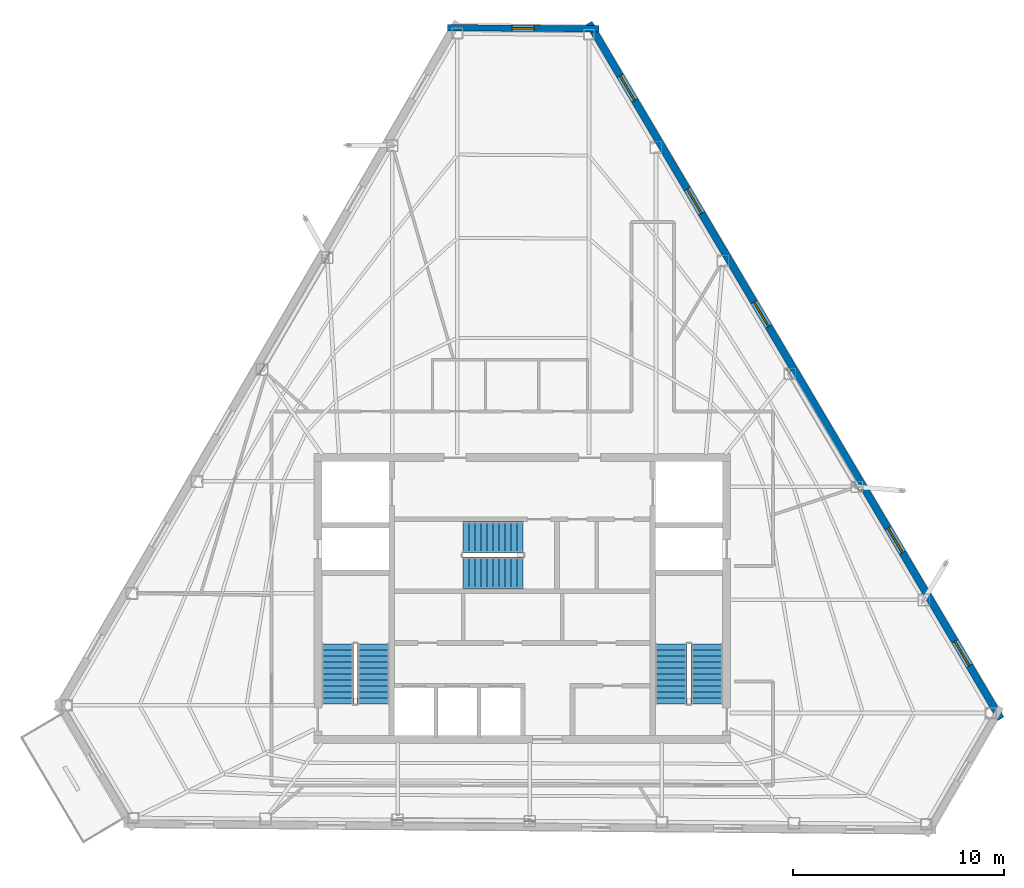
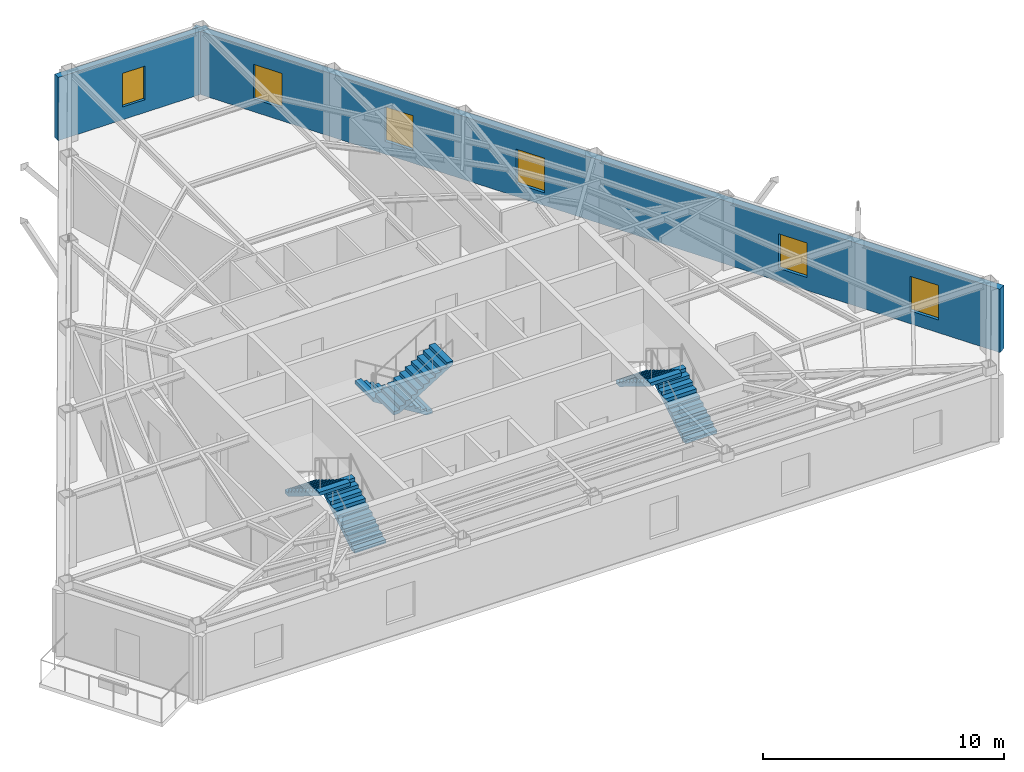
# One storey, part 9 of 10: 6 stair flights, 6 windows, 2 walls, 6 openings, 3 elements without a shape of their own.
"""IFC4 building model written with IfcOpenShell, lengths in metres."""

from ifc_helpers import new_model, si_unit, direction, frame, frame_2d, origin, place, context, subcontext, project, spatial, polyline, rectangle, outline, extrude, material, layer, layer_set, type_object, element, fill, aggregate, save


model = new_model("IFC4")

# Units and contexts
model_context = context("Model", 3, precision=1e-05, world=origin(), true_north=direction((0.0, 1.0)))
body_context = subcontext(model_context, "Body", "Model", "MODEL_VIEW")
ifc_project = project(units=[si_unit("LENGTHUNIT", "METRE"), si_unit("AREAUNIT", "SQUARE_METRE"), si_unit("VOLUMEUNIT", "CUBIC_METRE"), si_unit("PLANEANGLEUNIT", "RADIAN"), si_unit("MASSUNIT", "GRAM", prefix="KILO")], contexts=[model_context])

# Site, building, storey
site_placement = place(None, origin())
site = spatial("IfcSite", under=ifc_project, at=site_placement, CompositionType="ELEMENT")
building_placement = place(site_placement, origin())
building = spatial("IfcBuilding", under=site, at=building_placement, Name="Kavelnor Concourse Tower", CompositionType="ELEMENT")
storey_placement = place(building_placement, frame((0.0, 0.0, 266.449951171875)))
storey = spatial("IfcBuildingStorey", under=building, at=storey_placement, Name="L67", CompositionType="ELEMENT", Elevation=266.449951171875)

# Wall, opening, window
ifc_material_1 = material(Name="Buff ironspot clay face brick masonry", Category="masonry")
ifc_layer_1 = layer(ifc_material_1, 0.300048828125, Name="Buff ironspot clay face brick masonry")
ifc_layer_set_1 = layer_set([ifc_layer_1], Name="Buff ironspot clay face brick masonry")
wall_type_1 = type_object("IfcWallType", Name="WL-EXT-BUFF-BRICK-FOLD-300", PredefinedType="STANDARD", material=ifc_layer_set_1)
wall_1_placement = place(storey_placement, frame((34.444091796875, 43.21142578125, 0.0), z_axis=(0.0, 0.0, 1.0), x_axis=(0.999968003705, -0.007999472861, 0.0)))
wall_1 = element("IfcWall", 1, at=wall_1_placement, inside=storey, type_object=wall_type_1, Name="L67 Exterior Brick Facade Wall E0", PredefinedType="STANDARD", context=body_context, shape_type="SweptSolid", body=[
    extrude(rectangle(XDim=7.20263671875, YDim=0.300048828125, at=frame_2d((3.601318359375, 0.0))), origin(), (0.0, 0.0, 1.0), 3.196044921875),
])
opening_1_placement = place(wall_1_placement, frame((3.076416015625, 0.0, 0.64990234375)))
opening_1 = element("IfcOpeningElement", 2, at=opening_1_placement, cuts=wall_1, Name="Opening W-06", PredefinedType="OPENING", context=body_context, shape_type="SweptSolid", body=[
    extrude(rectangle(XDim=1.050048828125, YDim=1.699951171875, at=frame_2d((0.52490234375, 0.85009765625))), frame((0.0, 0.16015625, 0.0), z_axis=(0.0, -1.0, 0.0), x_axis=(1.0, 0.0, 0.0)), (0.0, 0.0, 1.0), 0.320068359375),
])
ifc_material_2 = material(Name="Double low-E argon insulated glazing", Category="glass")
window_type_1 = type_object("IfcWindowType", Name="WIN-FOLD-1050", PartitioningType="SINGLE_PANEL", PredefinedType="WINDOW", material=ifc_material_2)
window_1_placement = place(opening_1_placement, origin())
window_1 = element("IfcWindow", 3, at=window_1_placement, inside=storey, type_object=window_type_1, Name="L67 Chamfer-Fold Facet Window C0", OverallHeight=1.699951171875, OverallWidth=1.050048828125, PartitioningType="SINGLE_PANEL", PredefinedType="WINDOW", context=body_context, shape_type="SweptSolid", body=[
    extrude(rectangle(XDim=1.050048828125, YDim=1.699951171875, at=frame_2d((0.52490234375, 0.85009765625))), frame((0.0, 0.030029296875, 0.0), z_axis=(0.0, -1.0, 0.0), x_axis=(1.0, 0.0, 0.0)), (0.0, 0.0, 1.0), 0.06005859375),
])
fill(opening_1, window_1)

# Wall, openings, windows
ifc_material_3 = material(Name="Red-ochre clay face brick masonry", Category="masonry")
ifc_layer_2 = layer(ifc_material_3, 0.35009765625, Name="Red-ochre clay face brick masonry")
ifc_layer_set_2 = layer_set([ifc_layer_2], Name="Red-ochre clay face brick masonry")
wall_type_2 = type_object("IfcWallType", Name="WL-EXT-RED-BRICK-PIER-350", PredefinedType="STANDARD", material=ifc_layer_set_2)
wall_2_placement = place(storey_placement, frame((41.165771484375, 43.4306640625, 0.0), z_axis=(0.0, 0.0, 1.0), x_axis=(0.50946847144, -0.860489323936, 0.0)))
wall_2 = element("IfcWall", 4, at=wall_2_placement, inside=storey, type_object=wall_type_2, Name="L67 Exterior Brick Facade Wall E5", PredefinedType="STANDARD", context=body_context, shape_type="SweptSolid", body=[
    extrude(rectangle(XDim=38.403564453125, YDim=0.35009765625, at=frame_2d((19.20166015625, 0.0))), origin(), (0.0, 0.0, 1.0), 3.196044921875),
])
opening_2_placement = place(wall_2_placement, frame((34.1259765625, 0.0, 0.64990234375)))
opening_2 = element("IfcOpeningElement", 5, at=opening_2_placement, cuts=wall_2, Name="Opening W-04", PredefinedType="OPENING", context=body_context, shape_type="SweptSolid", body=[
    extrude(rectangle(XDim=1.35009765625, YDim=1.75, at=frame_2d((0.675048828125, 0.875))), frame((0.0, 0.18505859375, 0.0), z_axis=(0.0, -1.0, 0.0), x_axis=(1.0, 0.0, 0.0)), (0.0, 0.0, 1.0), 0.3701171875),
])
opening_3_placement = place(wall_2_placement, frame((27.88427734375, 0.0, 0.64990234375)))
opening_3 = element("IfcOpeningElement", 6, at=opening_3_placement, cuts=wall_2, Name="Opening W-04", PredefinedType="OPENING", context=body_context, shape_type="SweptSolid", body=[
    extrude(rectangle(XDim=1.35009765625, YDim=1.75, at=frame_2d((0.675048828125, 0.875))), frame((0.0, 0.18505859375, 0.0), z_axis=(0.0, -1.0, 0.0), x_axis=(1.0, 0.0, 0.0)), (0.0, 0.0, 1.0), 0.3701171875),
])
opening_4_placement = place(wall_2_placement, frame((15.400634765625, 0.0, 0.64990234375)))
opening_4 = element("IfcOpeningElement", 7, at=opening_4_placement, cuts=wall_2, Name="Opening W-04", PredefinedType="OPENING", context=body_context, shape_type="SweptSolid", body=[
    extrude(rectangle(XDim=1.35009765625, YDim=1.75, at=frame_2d((0.675048828125, 0.875))), frame((0.0, 0.18505859375, 0.0), z_axis=(0.0, -1.0, 0.0), x_axis=(1.0, 0.0, 0.0)), (0.0, 0.0, 1.0), 0.3701171875),
])
opening_5_placement = place(wall_2_placement, frame((9.15869140625, 0.0, 0.64990234375)))
opening_5 = element("IfcOpeningElement", 8, at=opening_5_placement, cuts=wall_2, Name="Opening W-04", PredefinedType="OPENING", context=body_context, shape_type="SweptSolid", body=[
    extrude(rectangle(XDim=1.35009765625, YDim=1.75, at=frame_2d((0.675048828125, 0.875))), frame((0.0, 0.18505859375, 0.0), z_axis=(0.0, -1.0, 0.0), x_axis=(1.0, 0.0, 0.0)), (0.0, 0.0, 1.0), 0.3701171875),
])
opening_6_placement = place(wall_2_placement, frame((2.9169921875, 0.0, 0.64990234375)))
opening_6 = element("IfcOpeningElement", 9, at=opening_6_placement, cuts=wall_2, Name="Opening W-04", PredefinedType="OPENING", context=body_context, shape_type="SweptSolid", body=[
    extrude(rectangle(XDim=1.35009765625, YDim=1.75, at=frame_2d((0.675048828125, 0.875))), frame((0.0, 0.18505859375, 0.0), z_axis=(0.0, -1.0, 0.0), x_axis=(1.0, 0.0, 0.0)), (0.0, 0.0, 1.0), 0.3701171875),
])
window_type_2 = type_object("IfcWindowType", Name="WIN-PIER-Z4-1350", PartitioningType="SINGLE_PANEL", PredefinedType="WINDOW", material=ifc_material_2)
window_2_placement = place(opening_2_placement, origin())
window_2 = element("IfcWindow", 10, at=window_2_placement, inside=storey, type_object=window_type_2, Name="L67 Deep-Set Brick Pier Window F2-B0", OverallHeight=1.75, OverallWidth=1.35009765625, PartitioningType="SINGLE_PANEL", PredefinedType="WINDOW", context=body_context, shape_type="SweptSolid", body=[
    extrude(rectangle(XDim=1.35009765625, YDim=1.75, at=frame_2d((0.675048828125, 0.875))), frame((0.0, 0.030029296875, 0.0), z_axis=(0.0, -1.0, 0.0), x_axis=(1.0, 0.0, 0.0)), (0.0, 0.0, 1.0), 0.06005859375),
])
fill(opening_2, window_2)
window_3_placement = place(opening_3_placement, origin())
window_3 = element("IfcWindow", 11, at=window_3_placement, inside=storey, type_object=window_type_2, Name="L67 Deep-Set Brick Pier Window F2-B1", OverallHeight=1.75, OverallWidth=1.35009765625, PartitioningType="SINGLE_PANEL", PredefinedType="WINDOW", context=body_context, shape_type="SweptSolid", body=[
    extrude(rectangle(XDim=1.35009765625, YDim=1.75, at=frame_2d((0.675048828125, 0.875))), frame((0.0, 0.030029296875, 0.0), z_axis=(0.0, -1.0, 0.0), x_axis=(1.0, 0.0, 0.0)), (0.0, 0.0, 1.0), 0.06005859375),
])
fill(opening_3, window_3)
window_4_placement = place(opening_4_placement, origin())
window_4 = element("IfcWindow", 12, at=window_4_placement, inside=storey, type_object=window_type_2, Name="L67 Deep-Set Brick Pier Window F2-B3", OverallHeight=1.75, OverallWidth=1.35009765625, PartitioningType="SINGLE_PANEL", PredefinedType="WINDOW", context=body_context, shape_type="SweptSolid", body=[
    extrude(rectangle(XDim=1.35009765625, YDim=1.75, at=frame_2d((0.675048828125, 0.875))), frame((0.0, 0.030029296875, 0.0), z_axis=(0.0, -1.0, 0.0), x_axis=(1.0, 0.0, 0.0)), (0.0, 0.0, 1.0), 0.06005859375),
])
fill(opening_4, window_4)
window_5_placement = place(opening_5_placement, origin())
window_5 = element("IfcWindow", 13, at=window_5_placement, inside=storey, type_object=window_type_2, Name="L67 Deep-Set Brick Pier Window F2-B4", OverallHeight=1.75, OverallWidth=1.35009765625, PartitioningType="SINGLE_PANEL", PredefinedType="WINDOW", context=body_context, shape_type="SweptSolid", body=[
    extrude(rectangle(XDim=1.35009765625, YDim=1.75, at=frame_2d((0.675048828125, 0.875))), frame((0.0, 0.030029296875, 0.0), z_axis=(0.0, -1.0, 0.0), x_axis=(1.0, 0.0, 0.0)), (0.0, 0.0, 1.0), 0.06005859375),
])
fill(opening_5, window_5)
window_6_placement = place(opening_6_placement, origin())
window_6 = element("IfcWindow", 14, at=window_6_placement, inside=storey, type_object=window_type_2, Name="L67 Deep-Set Brick Pier Window F2-B5", OverallHeight=1.75, OverallWidth=1.35009765625, PartitioningType="SINGLE_PANEL", PredefinedType="WINDOW", context=body_context, shape_type="SweptSolid", body=[
    extrude(rectangle(XDim=1.35009765625, YDim=1.75, at=frame_2d((0.675048828125, 0.875))), frame((0.0, 0.030029296875, 0.0), z_axis=(0.0, -1.0, 0.0), x_axis=(1.0, 0.0, 0.0)), (0.0, 0.0, 1.0), 0.06005859375),
])
fill(opening_6, window_6)

# Stair, stair flights
ifc_material_4 = material(Name="Concrete C40/50", Category="concrete")
stair_type = type_object("IfcStairType", Name="STR-CORE-1500", PredefinedType="HALF_TURN_STAIR", material=ifc_material_4)
stair_1_placement = place(storey_placement, origin())
stair_1 = element("IfcStair", 15, at=stair_1_placement, inside=storey, type_object=stair_type, Name="L67 ST1", PredefinedType="HALF_TURN_STAIR")
stair_flight_type = type_object("IfcStairFlightType", Name="STR-FLIGHT-1500", PredefinedType="STRAIGHT", material=ifc_material_4)
stair_flight_1_placement = place(storey_placement, frame((30.929931640625, 11.10009765625, 0.0), z_axis=(0.0, 0.0, 1.0), x_axis=(0.0, 1.0, 0.0)))
stair_flight_1 = element("IfcStairFlight", 16, at=stair_flight_1_placement, type_object=stair_flight_type, Name="ST1 flight 1", NumberOfRisers=11, NumberOfTreads=10, PredefinedType="STRAIGHT", RiserHeight=0.175, TreadLength=0.285, context=body_context, shape_type="SweptSolid", body=[
    extrude(outline(polyline([(0.0, 0.0), (0.0, 0.175048828125), (0.284912109375, 0.175048828125), (0.284912109375, 0.35009765625), (0.570068359375, 0.35009765625), (0.570068359375, 0.52490234375), (0.85498046875, 0.52490234375), (0.85498046875, 0.699951171875), (1.139892578125, 0.699951171875), (1.139892578125, 0.875), (1.425048828125, 0.875), (1.425048828125, 1.050048828125), (1.7099609375, 1.050048828125), (1.7099609375, 1.22509765625), (1.9951171875, 1.22509765625), (1.9951171875, 1.39990234375), (2.280029296875, 1.39990234375), (2.280029296875, 1.574951171875), (2.56494140625, 1.574951171875), (2.56494140625, 1.75), (2.85009765625, 1.75), (2.85009765625, 1.925048828125), (2.85009765625, 1.573974609375), (0.286376953125, 0.0), (0.0, 0.0)])), frame((0.0, 0.75, 0.0), z_axis=(0.0, -1.0, 0.0), x_axis=(1.0, 0.0, 0.0)), (0.0, 0.0, 1.0), 1.5),
])
stair_flight_2_placement = place(storey_placement, frame((29.22998046875, 13.949951171875, 1.925048828125), z_axis=(0.0, 0.0, 1.0), x_axis=(0.0, -1.0, 0.0)))
stair_flight_2 = element("IfcStairFlight", 17, at=stair_flight_2_placement, type_object=stair_flight_type, Name="ST1 flight 2", NumberOfRisers=11, NumberOfTreads=10, PredefinedType="STRAIGHT", RiserHeight=0.175, TreadLength=0.285, context=body_context, shape_type="SweptSolid", body=[
    extrude(outline(polyline([(0.0, 0.0), (0.0, 0.175048828125), (0.284912109375, 0.175048828125), (0.284912109375, 0.35009765625), (0.570068359375, 0.35009765625), (0.570068359375, 0.52490234375), (0.85498046875, 0.52490234375), (0.85498046875, 0.699951171875), (1.139892578125, 0.699951171875), (1.139892578125, 0.875), (1.425048828125, 0.875), (1.425048828125, 1.050048828125), (1.7099609375, 1.050048828125), (1.7099609375, 1.22509765625), (1.9951171875, 1.22509765625), (1.9951171875, 1.39990234375), (2.280029296875, 1.39990234375), (2.280029296875, 1.574951171875), (2.56494140625, 1.574951171875), (2.56494140625, 1.75), (2.85009765625, 1.75), (2.85009765625, 1.925048828125), (2.85009765625, 1.573974609375), (0.286376953125, 0.0), (0.0, 0.0)])), frame((0.0, 0.75, 0.0), z_axis=(0.0, -1.0, 0.0), x_axis=(1.0, 0.0, 0.0)), (0.0, 0.0, 1.0), 1.5),
])
aggregate(stair_1, [stair_flight_1, stair_flight_2])

stair_2_placement = place(storey_placement, origin())
stair_2 = element("IfcStair", 18, at=stair_2_placement, inside=storey, type_object=stair_type, Name="L67 ST2", PredefinedType="HALF_TURN_STAIR")
stair_flight_3_placement = place(storey_placement, frame((46.77001953125, 11.10009765625, 0.0), z_axis=(0.0, 0.0, 1.0), x_axis=(0.0, 1.0, 0.0)))
stair_flight_3 = element("IfcStairFlight", 19, at=stair_flight_3_placement, type_object=stair_flight_type, Name="ST2 flight 1", NumberOfRisers=11, NumberOfTreads=10, PredefinedType="STRAIGHT", RiserHeight=0.175, TreadLength=0.285, context=body_context, shape_type="SweptSolid", body=[
    extrude(outline(polyline([(0.0, 0.0), (0.0, 0.175048828125), (0.284912109375, 0.175048828125), (0.284912109375, 0.35009765625), (0.570068359375, 0.35009765625), (0.570068359375, 0.52490234375), (0.85498046875, 0.52490234375), (0.85498046875, 0.699951171875), (1.139892578125, 0.699951171875), (1.139892578125, 0.875), (1.425048828125, 0.875), (1.425048828125, 1.050048828125), (1.7099609375, 1.050048828125), (1.7099609375, 1.22509765625), (1.9951171875, 1.22509765625), (1.9951171875, 1.39990234375), (2.280029296875, 1.39990234375), (2.280029296875, 1.574951171875), (2.56494140625, 1.574951171875), (2.56494140625, 1.75), (2.85009765625, 1.75), (2.85009765625, 1.925048828125), (2.85009765625, 1.573974609375), (0.286376953125, 0.0), (0.0, 0.0)])), frame((0.0, 0.75, 0.0), z_axis=(0.0, -1.0, 0.0), x_axis=(1.0, 0.0, 0.0)), (0.0, 0.0, 1.0), 1.5),
])
stair_flight_4_placement = place(storey_placement, frame((45.070068359375, 13.949951171875, 1.925048828125), z_axis=(0.0, 0.0, 1.0), x_axis=(0.0, -1.0, 0.0)))
stair_flight_4 = element("IfcStairFlight", 20, at=stair_flight_4_placement, type_object=stair_flight_type, Name="ST2 flight 2", NumberOfRisers=11, NumberOfTreads=10, PredefinedType="STRAIGHT", RiserHeight=0.175, TreadLength=0.285, context=body_context, shape_type="SweptSolid", body=[
    extrude(outline(polyline([(0.0, 0.0), (0.0, 0.175048828125), (0.284912109375, 0.175048828125), (0.284912109375, 0.35009765625), (0.570068359375, 0.35009765625), (0.570068359375, 0.52490234375), (0.85498046875, 0.52490234375), (0.85498046875, 0.699951171875), (1.139892578125, 0.699951171875), (1.139892578125, 0.875), (1.425048828125, 0.875), (1.425048828125, 1.050048828125), (1.7099609375, 1.050048828125), (1.7099609375, 1.22509765625), (1.9951171875, 1.22509765625), (1.9951171875, 1.39990234375), (2.280029296875, 1.39990234375), (2.280029296875, 1.574951171875), (2.56494140625, 1.574951171875), (2.56494140625, 1.75), (2.85009765625, 1.75), (2.85009765625, 1.925048828125), (2.85009765625, 1.573974609375), (0.286376953125, 0.0), (0.0, 0.0)])), frame((0.0, 0.75, 0.0), z_axis=(0.0, -1.0, 0.0), x_axis=(1.0, 0.0, 0.0)), (0.0, 0.0, 1.0), 1.5),
])
aggregate(stair_2, [stair_flight_3, stair_flight_4])

stair_3_placement = place(storey_placement, origin())
stair_3 = element("IfcStair", 21, at=stair_3_placement, inside=storey, type_object=stair_type, Name="L67 ST3", PredefinedType="HALF_TURN_STAIR")
stair_flight_5_placement = place(storey_placement, frame((38.0400390625, 19.010009765625, 0.0), z_axis=(0.0, 0.0, 1.0), x_axis=(-1.0, 0.0, 0.0)))
stair_flight_5 = element("IfcStairFlight", 22, at=stair_flight_5_placement, type_object=stair_flight_type, Name="ST3 flight 1", NumberOfRisers=11, NumberOfTreads=10, PredefinedType="STRAIGHT", RiserHeight=0.175, TreadLength=0.285, context=body_context, shape_type="SweptSolid", body=[
    extrude(outline(polyline([(0.0, 0.0), (0.0, 0.175048828125), (0.284912109375, 0.175048828125), (0.284912109375, 0.35009765625), (0.570068359375, 0.35009765625), (0.570068359375, 0.52490234375), (0.85498046875, 0.52490234375), (0.85498046875, 0.699951171875), (1.139892578125, 0.699951171875), (1.139892578125, 0.875), (1.425048828125, 0.875), (1.425048828125, 1.050048828125), (1.7099609375, 1.050048828125), (1.7099609375, 1.22509765625), (1.9951171875, 1.22509765625), (1.9951171875, 1.39990234375), (2.280029296875, 1.39990234375), (2.280029296875, 1.574951171875), (2.56494140625, 1.574951171875), (2.56494140625, 1.75), (2.85009765625, 1.75), (2.85009765625, 1.925048828125), (2.85009765625, 1.573974609375), (0.286376953125, 0.0), (0.0, 0.0)])), frame((0.0, 0.75, 0.0), z_axis=(0.0, -1.0, 0.0), x_axis=(1.0, 0.0, 0.0)), (0.0, 0.0, 1.0), 1.5),
])
stair_flight_6_placement = place(storey_placement, frame((35.18994140625, 17.31005859375, 1.925048828125), z_axis=(0.0, 0.0, 1.0), x_axis=(1.0, 0.0, 0.0)))
stair_flight_6 = element("IfcStairFlight", 23, at=stair_flight_6_placement, type_object=stair_flight_type, Name="ST3 flight 2", NumberOfRisers=11, NumberOfTreads=10, PredefinedType="STRAIGHT", RiserHeight=0.175, TreadLength=0.285, context=body_context, shape_type="SweptSolid", body=[
    extrude(outline(polyline([(0.0, 0.0), (0.0, 0.175048828125), (0.284912109375, 0.175048828125), (0.284912109375, 0.35009765625), (0.570068359375, 0.35009765625), (0.570068359375, 0.52490234375), (0.85498046875, 0.52490234375), (0.85498046875, 0.699951171875), (1.139892578125, 0.699951171875), (1.139892578125, 0.875), (1.425048828125, 0.875), (1.425048828125, 1.050048828125), (1.7099609375, 1.050048828125), (1.7099609375, 1.22509765625), (1.9951171875, 1.22509765625), (1.9951171875, 1.39990234375), (2.280029296875, 1.39990234375), (2.280029296875, 1.574951171875), (2.56494140625, 1.574951171875), (2.56494140625, 1.75), (2.85009765625, 1.75), (2.85009765625, 1.925048828125), (2.85009765625, 1.573974609375), (0.286376953125, 0.0), (0.0, 0.0)])), frame((0.0, 0.75, 0.0), z_axis=(0.0, -1.0, 0.0), x_axis=(1.0, 0.0, 0.0)), (0.0, 0.0, 1.0), 1.5),
])
aggregate(stair_3, [stair_flight_5, stair_flight_6])

save(model, "model.ifc")
